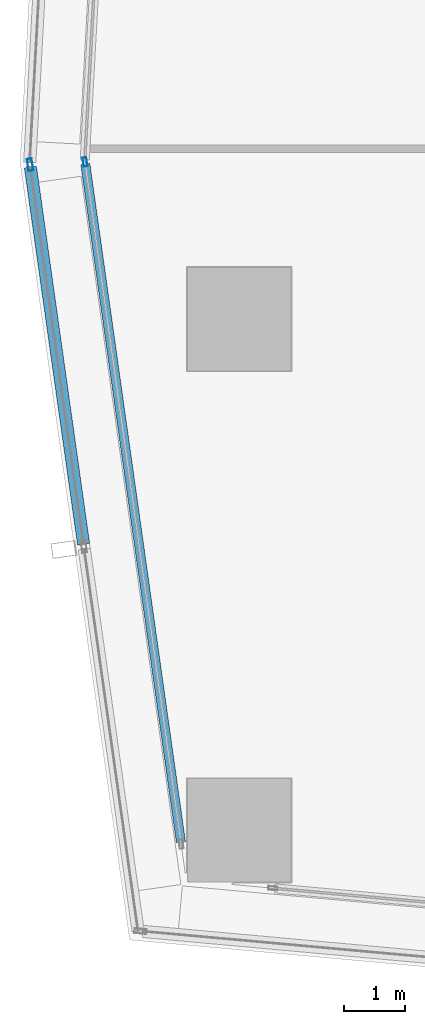
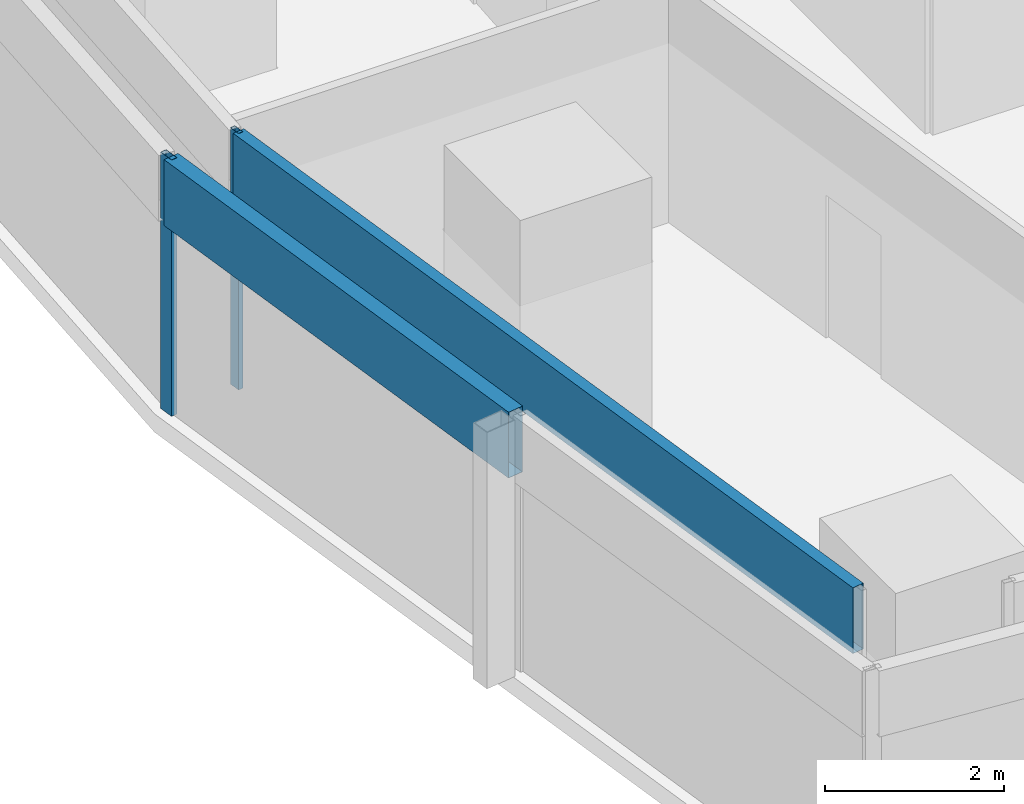
# One storey, part 4 of 40: 4 members, 2 elements without a shape of their own.
"""IFC4 building model written with IfcOpenShell, lengths in metres."""

from ifc_helpers import new_model, si_unit, direction, frame, origin, origin_2d, place, context, subcontext, project, spatial, hollow_rectangle, extrude, material, material_profile, profile_set, type_object, element, aggregate, save


model = new_model("IFC4")

# Units and contexts
model_context = context("Model", 3, precision=1e-05, world=origin(), true_north=direction((0.0, 1.0)))
body_context = subcontext(model_context, "Body", "Model", "MODEL_VIEW")
ifc_project = project(units=[si_unit("LENGTHUNIT", "METRE"), si_unit("AREAUNIT", "SQUARE_METRE"), si_unit("VOLUMEUNIT", "CUBIC_METRE"), si_unit("PLANEANGLEUNIT", "RADIAN"), si_unit("MASSUNIT", "GRAM", prefix="KILO")], contexts=[model_context])

# Site, building, storey
site_placement = place(None, origin())
site = spatial("IfcSite", under=ifc_project, at=site_placement, CompositionType="ELEMENT")
building_placement = place(site_placement, origin())
building = spatial("IfcBuilding", under=site, at=building_placement, Name="Rekha Terrace Tower", CompositionType="ELEMENT")
storey_placement = place(building_placement, frame((0.0, 0.0, 140.300048828125)))
storey = spatial("IfcBuildingStorey", under=building, at=storey_placement, Name="L35", CompositionType="ELEMENT", Elevation=140.300048828125)

# Curtain wall, members
ifc_material_1 = material(Name="Aluminium framing", Category="aluminium")
curtain_wall_type_1 = type_object("IfcCurtainWallType", Name="CW1 double skin inner glazing", PredefinedType="USERDEFINED", material=ifc_material_1)
curtain_wall_1_placement = place(storey_placement, origin())
curtain_wall_1 = element("IfcCurtainWall", 1, at=curtain_wall_1_placement, inside=storey, type_object=curtain_wall_type_1, Name="CW1 double skin inner glazing", ObjectType="DOUBLE SKIN INNER GLAZING", PredefinedType="USERDEFINED")
ifc_material_2 = material(Name="Aluminium mullion section", Category="aluminium")
ifc_material_profile_1 = material_profile(ifc_material_2, hollow_rectangle(XDim=0.06494140625, YDim=0.14990234375, WallThickness=0.00390625, at=origin_2d()), Name="AL RHS 65x150")
ifc_profile_set_1 = profile_set([ifc_material_profile_1], Name="Aluminium mullion section")
member_type_1 = type_object("IfcMemberType", Name="CW1 mullion RHS 65 x 150", PredefinedType="MULLION", material=ifc_profile_set_1)
member_1_placement = place(storey_placement, frame((5.86865234375, 27.78125, 0.0), z_axis=(0.0, 0.0, 1.0), x_axis=(0.990208394312, 0.139597048082, 0.0)))
member_1 = element("IfcMember", 2, at=member_1_placement, type_object=member_type_1, Name="CW1 mullion 1", PredefinedType="MULLION", context=body_context, shape_type="SweptSolid", body=[
    extrude(hollow_rectangle(XDim=0.06494140625, YDim=0.14990234375, WallThickness=0.00390625, at=origin_2d()), origin(), (0.0, 0.0, 1.0), 3.5),
])
ifc_material_3 = material(Name="Insulated aluminium spandrel box", Category="aluminium")
ifc_material_profile_2 = material_profile(ifc_material_3, hollow_rectangle(XDim=0.14990234375, YDim=0.89990234375, WallThickness=0.0029296875, at=origin_2d()), Name="AL SPANDREL BOX 150x900")
ifc_profile_set_2 = profile_set([ifc_material_profile_2], Name="Insulated aluminium spandrel box")
member_type_2 = type_object("IfcMemberType", Name="CW1 spandrel transom 150 x 900", PredefinedType="USERDEFINED", material=ifc_profile_set_2)
member_2_placement = place(storey_placement, frame((5.873046875, 27.7490234375, 3.050048828125), z_axis=(0.139607844155, -0.99020687225, 0.0), x_axis=(0.99020687225, 0.139607844155, 0.0)))
member_2 = element("IfcMember", 3, at=member_2_placement, type_object=member_type_2, Name="CW1 spandrel transom 1", ObjectType="TRANSOM", PredefinedType="USERDEFINED", context=body_context, shape_type="SweptSolid", body=[
    extrude(hollow_rectangle(XDim=0.14990234375, YDim=0.89990234375, WallThickness=0.0029296875, at=origin_2d()), origin(), (0.0, 0.0, 1.0), 11.253173828125),
])
aggregate(curtain_wall_1, [member_1, member_2])

curtain_wall_type_2 = type_object("IfcCurtainWallType", Name="CW2 double skin outer glazing", PredefinedType="USERDEFINED", material=ifc_material_1)
curtain_wall_2_placement = place(storey_placement, origin())
curtain_wall_2 = element("IfcCurtainWall", 4, at=curtain_wall_2_placement, inside=storey, type_object=curtain_wall_type_2, Name="CW2 double skin outer glazing", ObjectType="DOUBLE SKIN OUTER GLAZING", PredefinedType="USERDEFINED")
ifc_material_profile_3 = material_profile(ifc_material_2, hollow_rectangle(XDim=0.080078125, YDim=0.199951171875, WallThickness=0.00390625, at=origin_2d()), Name="AL RHS 80x200")
ifc_profile_set_3 = profile_set([ifc_material_profile_3], Name="Aluminium mullion section")
member_type_3 = type_object("IfcMemberType", Name="CW2 mullion RHS 80 x 200", PredefinedType="MULLION", material=ifc_profile_set_3)
member_3_placement = place(storey_placement, frame((4.96630859375, 27.7353515625, 0.0), z_axis=(0.0, 0.0, 1.0), x_axis=(0.990208394312, 0.139597048082, 0.0)))
member_3 = element("IfcMember", 5, at=member_3_placement, type_object=member_type_3, Name="CW2 mullion 1", PredefinedType="MULLION", context=body_context, shape_type="SweptSolid", body=[
    extrude(hollow_rectangle(XDim=0.080078125, YDim=0.199951171875, WallThickness=0.00390625, at=origin_2d()), origin(), (0.0, 0.0, 1.0), 3.5),
])
ifc_material_profile_4 = material_profile(ifc_material_3, hollow_rectangle(XDim=0.199951171875, YDim=0.89990234375, WallThickness=0.0029296875, at=origin_2d()), Name="AL SPANDREL BOX 200x900")
ifc_profile_set_4 = profile_set([ifc_material_profile_4], Name="Insulated aluminium spandrel box")
member_type_4 = type_object("IfcMemberType", Name="CW2 spandrel transom 200 x 900", PredefinedType="USERDEFINED", material=ifc_profile_set_4)
member_4_placement = place(storey_placement, frame((4.9716796875, 27.695556640625, 3.050048828125), z_axis=(0.139596256865, -0.990208505856, 0.0), x_axis=(0.990208505856, 0.139596256865, 0.0)))
member_4 = element("IfcMember", 6, at=member_4_placement, type_object=member_type_4, Name="CW2 spandrel transom 1", ObjectType="TRANSOM", PredefinedType="USERDEFINED", context=body_context, shape_type="SweptSolid", body=[
    extrude(hollow_rectangle(XDim=0.199951171875, YDim=0.89990234375, WallThickness=0.0029296875, at=origin_2d()), origin(), (0.0, 0.0, 1.0), 6.255859375),
])
aggregate(curtain_wall_2, [member_3, member_4])

save(model, "model.ifc")
